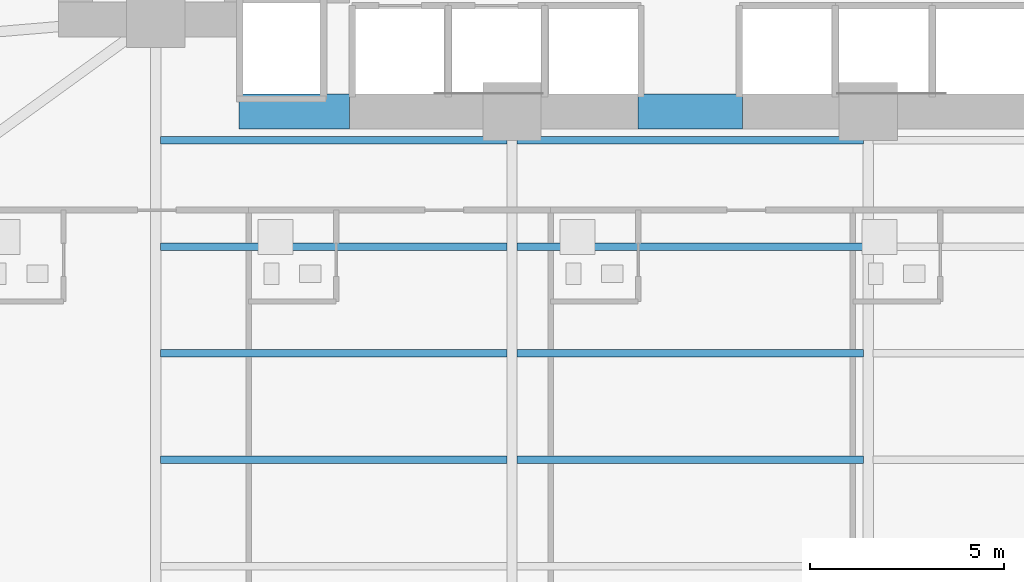
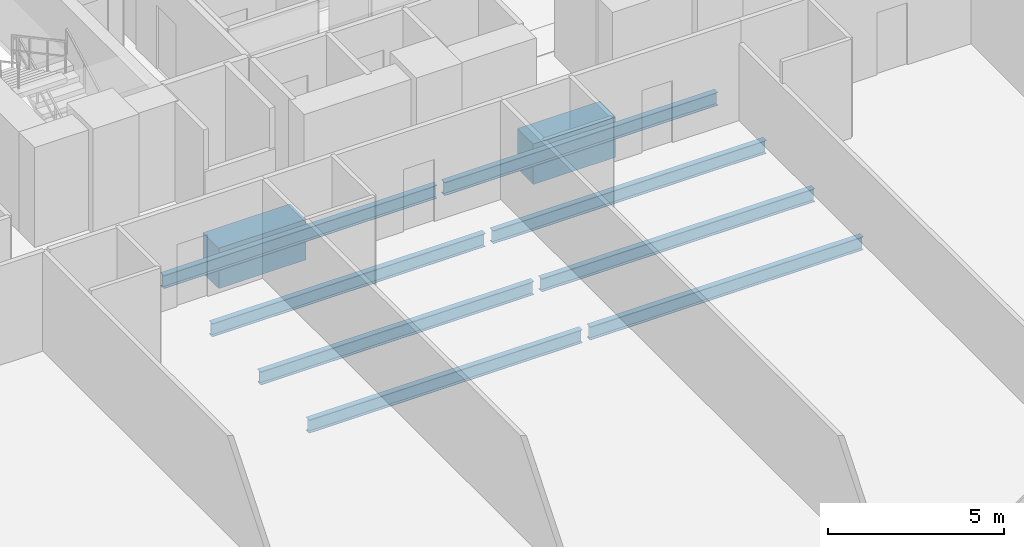
# One storey, part 7 of 28: 10 beams.
"""IFC4 building model written with IfcOpenShell, lengths in metres."""

from ifc_helpers import new_model, si_unit, direction, frame, origin, origin_2d, place, context, subcontext, project, spatial, rectangle, i_section, extrude, material, material_profile, profile_set, type_object, element, save


model = new_model("IFC4")

# Units and contexts
model_context = context("Model", 3, precision=1e-05, world=origin(), true_north=direction((0.0, 1.0)))
body_context = subcontext(model_context, "Body", "Model", "MODEL_VIEW")
ifc_project = project(units=[si_unit("LENGTHUNIT", "METRE"), si_unit("AREAUNIT", "SQUARE_METRE"), si_unit("VOLUMEUNIT", "CUBIC_METRE"), si_unit("PLANEANGLEUNIT", "RADIAN"), si_unit("MASSUNIT", "GRAM", prefix="KILO")], contexts=[model_context])

# Site, building, storey
site_placement = place(None, origin())
site = spatial("IfcSite", under=ifc_project, at=site_placement, CompositionType="ELEMENT")
building_placement = place(site_placement, origin())
building = spatial("IfcBuilding", under=site, at=building_placement, Name="Zuhayl Quay Hotel", CompositionType="ELEMENT")
storey_placement = place(building_placement, frame((0.0, 0.0, 56.800048828125)))
storey = spatial("IfcBuildingStorey", under=building, at=storey_placement, Name="L13", CompositionType="ELEMENT", Elevation=56.800048828125)

# Beams
ifc_material_1 = material(Name="Concrete C60/75", Category="concrete")
ifc_material_profile_1 = material_profile(ifc_material_1, rectangle(XDim=0.89990234375, YDim=1.39990234375, at=origin_2d()), Name="RC900X1400")
ifc_profile_set_1 = profile_set([ifc_material_profile_1], Name="Concrete C60/75")
beam_type_1 = type_object("IfcBeamType", Name="BM_CB1_RC900", PredefinedType="T_BEAM", material=ifc_profile_set_1)
beam_1_placement = place(storey_placement, frame((-11.64990234375, 2.14990234375, -0.920166015625), z_axis=(1.0, 0.0, 0.0), x_axis=(0.0, 1.0, 0.0)))
element("IfcBeam", 1, at=beam_1_placement, inside=storey, type_object=beam_type_1, Name="L13 Core Coupling Beam SW", PredefinedType="T_BEAM", context=body_context, shape_type="SweptSolid", body=[
    extrude(rectangle(XDim=0.89990234375, YDim=1.39990234375, at=origin_2d()), origin(), (0.0, 0.0, 1.0), 2.849853515625),
])
beam_2_placement = place(storey_placement, frame((-1.35009765625, 2.14990234375, -0.920166015625), z_axis=(1.0, 0.0, 0.0), x_axis=(0.0, 1.0, 0.0)))
element("IfcBeam", 2, at=beam_2_placement, inside=storey, type_object=beam_type_1, Name="L13 Core Coupling Beam South", PredefinedType="T_BEAM", context=body_context, shape_type="SweptSolid", body=[
    extrude(rectangle(XDim=0.89990234375, YDim=1.39990234375, at=origin_2d()), origin(), (0.0, 0.0, 1.0), 2.7001953125),
])
ifc_material_2 = material(Name="Steel ASTM A992 Grade 50", Category="steel")
ifc_material_profile_2 = material_profile(ifc_material_2, i_section(OverallWidth=0.18994140625, OverallDepth=0.45703125, WebThickness=0.009033203125, FlangeThickness=0.014404296875, at=origin_2d()), Name="W18X50")
ifc_profile_set_2 = profile_set([ifc_material_profile_2], Name="Steel ASTM A992 Grade 50")
beam_type_2 = type_object("IfcBeamType", Name="BM_J2_W18X50", PredefinedType="JOIST", material=ifc_profile_set_2)
beam_3_placement = place(storey_placement, frame((-13.674560546875, -6.85009765625, -0.448486328125), z_axis=(1.0, 0.0, 0.0), x_axis=(0.0, 1.0, 0.0)))
element("IfcBeam", 3, at=beam_3_placement, inside=storey, type_object=beam_type_2, Name="L13 Floor Beam FJ_L13_7_1", PredefinedType="JOIST", context=body_context, shape_type="SweptSolid", body=[
    extrude(i_section(OverallWidth=0.18994140625, OverallDepth=0.45703125, WebThickness=0.009033203125, FlangeThickness=0.014404296875, at=origin_2d()), origin(), (0.0, 0.0, 1.0), 8.948974609375),
])
beam_4_placement = place(storey_placement, frame((-4.474609375, -6.85009765625, -0.448486328125), z_axis=(1.0, 0.0, 0.0), x_axis=(0.0, 1.0, 0.0)))
element("IfcBeam", 4, at=beam_4_placement, inside=storey, type_object=beam_type_2, Name="L13 Floor Beam FJ_L13_7_2", PredefinedType="JOIST", context=body_context, shape_type="SweptSolid", body=[
    extrude(i_section(OverallWidth=0.18994140625, OverallDepth=0.45703125, WebThickness=0.009033203125, FlangeThickness=0.014404296875, at=origin_2d()), origin(), (0.0, 0.0, 1.0), 8.94921875),
])
beam_5_placement = place(storey_placement, frame((-13.674560546875, -4.10009765625, -0.448486328125), z_axis=(1.0, 0.0, 0.0), x_axis=(0.0, 1.0, 0.0)))
element("IfcBeam", 5, at=beam_5_placement, inside=storey, type_object=beam_type_2, Name="L13 Floor Beam FJ_L13_8_1", PredefinedType="JOIST", context=body_context, shape_type="SweptSolid", body=[
    extrude(i_section(OverallWidth=0.18994140625, OverallDepth=0.45703125, WebThickness=0.009033203125, FlangeThickness=0.014404296875, at=origin_2d()), origin(), (0.0, 0.0, 1.0), 8.948974609375),
])
beam_6_placement = place(storey_placement, frame((-4.474609375, -4.10009765625, -0.448486328125), z_axis=(1.0, 0.0, 0.0), x_axis=(0.0, 1.0, 0.0)))
element("IfcBeam", 6, at=beam_6_placement, inside=storey, type_object=beam_type_2, Name="L13 Floor Beam FJ_L13_8_2", PredefinedType="JOIST", context=body_context, shape_type="SweptSolid", body=[
    extrude(i_section(OverallWidth=0.18994140625, OverallDepth=0.45703125, WebThickness=0.009033203125, FlangeThickness=0.014404296875, at=origin_2d()), origin(), (0.0, 0.0, 1.0), 8.94921875),
])
beam_7_placement = place(storey_placement, frame((-13.674560546875, -1.35009765625, -0.448486328125), z_axis=(1.0, 0.0, 0.0), x_axis=(0.0, 1.0, 0.0)))
element("IfcBeam", 7, at=beam_7_placement, inside=storey, type_object=beam_type_2, Name="L13 Floor Beam FJ_L13_9_1", PredefinedType="JOIST", context=body_context, shape_type="SweptSolid", body=[
    extrude(i_section(OverallWidth=0.18994140625, OverallDepth=0.45703125, WebThickness=0.009033203125, FlangeThickness=0.014404296875, at=origin_2d()), origin(), (0.0, 0.0, 1.0), 8.948974609375),
])
beam_8_placement = place(storey_placement, frame((-4.474609375, -1.35009765625, -0.448486328125), z_axis=(1.0, 0.0, 0.0), x_axis=(0.0, 1.0, 0.0)))
element("IfcBeam", 8, at=beam_8_placement, inside=storey, type_object=beam_type_2, Name="L13 Floor Beam FJ_L13_9_2", PredefinedType="JOIST", context=body_context, shape_type="SweptSolid", body=[
    extrude(i_section(OverallWidth=0.18994140625, OverallDepth=0.45703125, WebThickness=0.009033203125, FlangeThickness=0.014404296875, at=origin_2d()), origin(), (0.0, 0.0, 1.0), 8.94921875),
])
beam_9_placement = place(storey_placement, frame((-13.674560546875, 1.39990234375, -0.448486328125), z_axis=(1.0, 0.0, 0.0), x_axis=(0.0, 1.0, 0.0)))
element("IfcBeam", 9, at=beam_9_placement, inside=storey, type_object=beam_type_2, Name="L13 Floor Beam FJ_L13_10_1", PredefinedType="JOIST", context=body_context, shape_type="SweptSolid", body=[
    extrude(i_section(OverallWidth=0.18994140625, OverallDepth=0.45703125, WebThickness=0.009033203125, FlangeThickness=0.014404296875, at=origin_2d()), origin(), (0.0, 0.0, 1.0), 8.948974609375),
])
beam_10_placement = place(storey_placement, frame((-4.474609375, 1.39990234375, -0.448486328125), z_axis=(1.0, 0.0, 0.0), x_axis=(0.0, 1.0, 0.0)))
element("IfcBeam", 10, at=beam_10_placement, inside=storey, type_object=beam_type_2, Name="L13 Floor Beam FJ_L13_10_2", PredefinedType="JOIST", context=body_context, shape_type="SweptSolid", body=[
    extrude(i_section(OverallWidth=0.18994140625, OverallDepth=0.45703125, WebThickness=0.009033203125, FlangeThickness=0.014404296875, at=origin_2d()), origin(), (0.0, 0.0, 1.0), 8.94921875),
])

save(model, "model.ifc")
